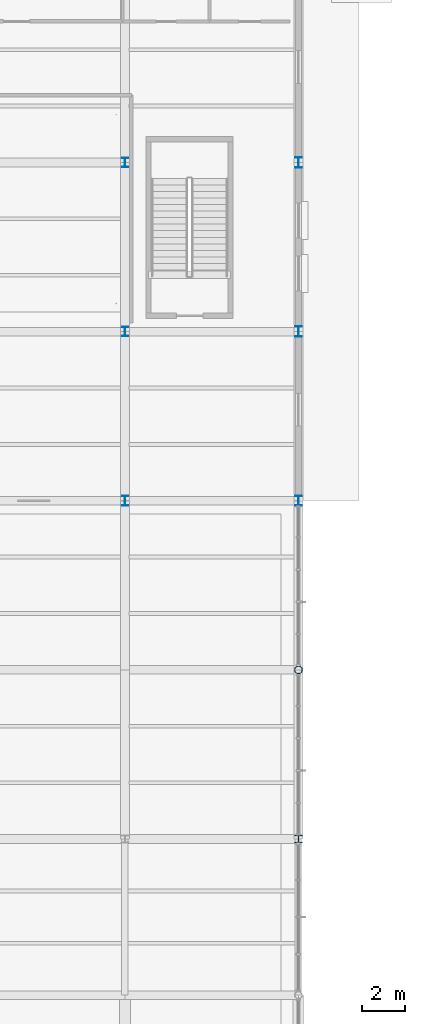
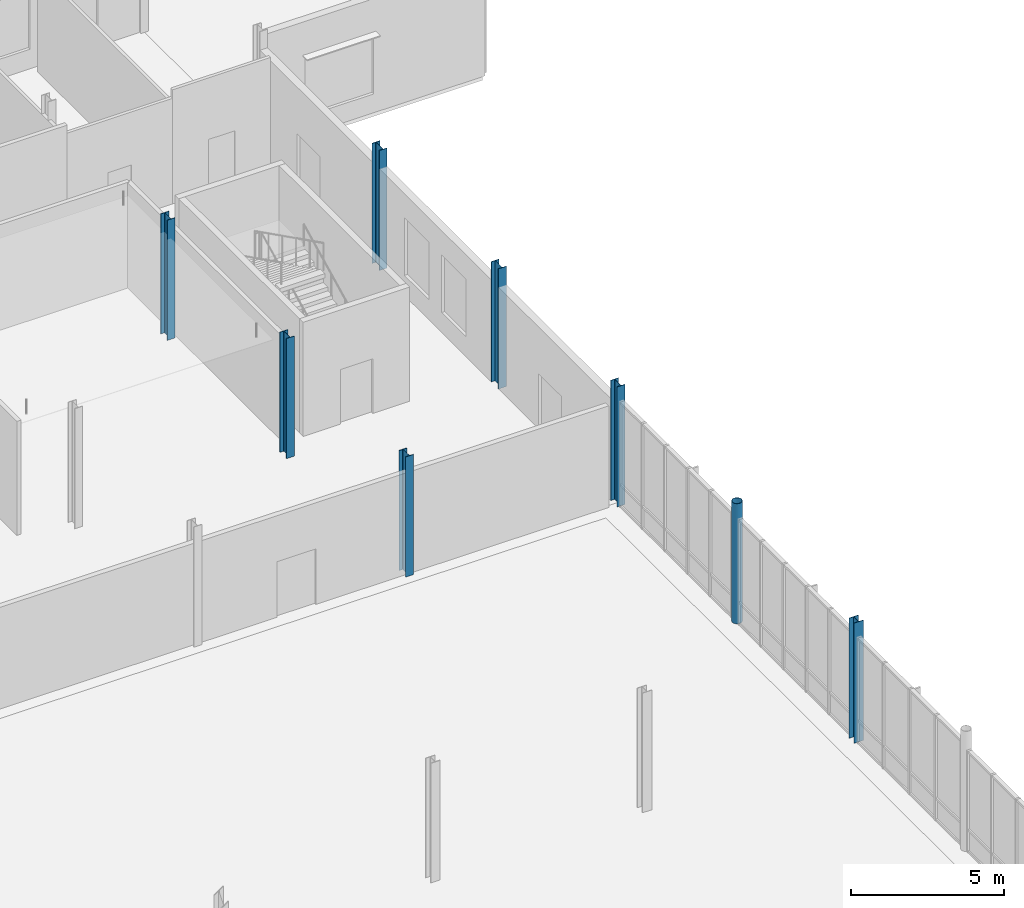
# One storey, part 7 of 82: 8 columns.
"""IFC4 building model written with IfcOpenShell, lengths in metres."""

from ifc_helpers import new_model, si_unit, direction, frame, origin, origin_2d, place, context, subcontext, project, spatial, hollow_circle, i_section, extrude, material, material_profile, profile_set, type_object, element, save


model = new_model("IFC4")

# Units and contexts
model_context = context("Model", 3, precision=1e-05, world=origin(), true_north=direction((0.0, 1.0)))
body_context = subcontext(model_context, "Body", "Model", "MODEL_VIEW")
ifc_project = project(units=[si_unit("LENGTHUNIT", "METRE"), si_unit("AREAUNIT", "SQUARE_METRE"), si_unit("VOLUMEUNIT", "CUBIC_METRE"), si_unit("PLANEANGLEUNIT", "RADIAN"), si_unit("MASSUNIT", "GRAM", prefix="KILO")], contexts=[model_context])

# Site, building, storey
site_placement = place(None, origin())
site = spatial("IfcSite", under=ifc_project, at=site_placement, CompositionType="ELEMENT")
building_placement = place(site_placement, origin())
building = spatial("IfcBuilding", under=site, at=building_placement, Name="Yukiwa Park Conservatory and Herbarium", CompositionType="ELEMENT")
storey_placement = place(building_placement, origin())
storey = spatial("IfcBuildingStorey", under=building, at=storey_placement, Name="L00", CompositionType="ELEMENT", Elevation=0.0)

# Columns
ifc_material_1 = material(Name="Steel Q355D", Category="steel")
ifc_material_profile_1 = material_profile(ifc_material_1, hollow_circle(Radius=0.177734375, WallThickness=0.012451171875, at=origin_2d()), Name="CHS 355.6x12.5")
ifc_profile_set_1 = profile_set([ifc_material_profile_1], Name="Steel Q355D")
column_type_1 = type_object("IfcColumnType", Name="COL-CN-CHS356", PredefinedType="COLUMN", material=ifc_profile_set_1)
column_1_placement = place(storey_placement, frame((108.0, 39.0, 0.0), z_axis=(0.0, 0.0, 1.0), x_axis=(1.0, 0.0, 0.0)))
element("IfcColumn", 1, at=column_1_placement, inside=storey, type_object=column_type_1, Name="L00 column V2-X1080-Y390", PredefinedType="COLUMN", context=body_context, shape_type="SweptSolid", body=[
    extrude(hollow_circle(Radius=0.177734375, WallThickness=0.012451171875, at=origin_2d()), origin(), (0.0, 0.0, 1.0), 4.800048828125),
])
ifc_material_2 = material(Name="Steel Q355D", Category="steel")
ifc_material_profile_2 = material_profile(ifc_material_2, i_section(OverallWidth=0.35009765625, OverallDepth=0.35009765625, WebThickness=0.011962890625, FlangeThickness=0.01904296875, FilletRadius=0.02001953125, at=origin_2d()), Name="HW 350x350x12x19")
ifc_profile_set_2 = profile_set([ifc_material_profile_2], Name="Steel Q355D")
column_type_2 = type_object("IfcColumnType", Name="COL-TW-HW350", PredefinedType="COLUMN", material=ifc_profile_set_2)
column_2_placement = place(storey_placement, frame((108.0, 31.199951171875, 0.0), z_axis=(0.0, 0.0, 1.0), x_axis=(1.0, 0.0, 0.0)))
element("IfcColumn", 2, at=column_2_placement, inside=storey, type_object=column_type_2, Name="L00 column V2-X1080-Y312", PredefinedType="COLUMN", context=body_context, shape_type="SweptSolid", body=[
    extrude(i_section(OverallWidth=0.35009765625, OverallDepth=0.35009765625, WebThickness=0.011962890625, FlangeThickness=0.01904296875, FilletRadius=0.02001953125, at=origin_2d()), origin(), (0.0, 0.0, 1.0), 4.800048828125),
])
ifc_material_3 = material(Name="Steel Q355D", Category="steel")
ifc_material_profile_3 = material_profile(ifc_material_3, i_section(OverallWidth=0.300048828125, OverallDepth=0.43994140625, WebThickness=0.010986328125, FlangeThickness=0.01806640625, FilletRadius=0.02392578125, at=origin_2d()), Name="HM 440x300x11x18")
ifc_profile_set_3 = profile_set([ifc_material_profile_3], Name="Steel Q355D")
column_type_3 = type_object("IfcColumnType", Name="COL-VS-HM440", PredefinedType="COLUMN", material=ifc_profile_set_3)
for number, where, z_axis, x_axis, name in (
    (3, (100.0, 46.800048828125, 0.0), (0.0, 0.0, 1.0), (1.0, 0.0, 0.0), "L00 column V3-X1000-Y468"),
    (4, (100.0, 54.60009765625, 0.0), (0.0, 0.0, 1.0), (1.0, 0.0, 0.0), "L00 column V3-X1000-Y546"),
    (5, (100.0, 62.39990234375, 0.0), (0.0, 0.0, 1.0), (1.0, 0.0, 0.0), "L00 column V3-X1000-Y624"),
    (6, (108.0, 46.800048828125, 0.0), (0.0, 0.0, 1.0), (1.0, 0.0, 0.0), "L00 column V3-X1080-Y468"),
):
    element("IfcColumn", number, at=place(storey_placement, frame(where, z_axis=z_axis, x_axis=x_axis)), inside=storey, type_object=column_type_3, Name=name, PredefinedType="COLUMN", context=body_context, shape_type="SweptSolid", body=[
        extrude(i_section(OverallWidth=0.300048828125, OverallDepth=0.43994140625, WebThickness=0.010986328125, FlangeThickness=0.01806640625, FilletRadius=0.02392578125, at=origin_2d()), origin(), (0.0, 0.0, 1.0), 4.800048828125),
    ])
ifc_material_4 = material(Name="Steel Q355D", Category="steel")
ifc_material_profile_4 = material_profile(ifc_material_4, i_section(OverallWidth=0.300048828125, OverallDepth=0.488037109375, WebThickness=0.010986328125, FlangeThickness=0.01806640625, FilletRadius=0.02392578125, at=origin_2d()), Name="HM 488x300x11x18")
ifc_profile_set_4 = profile_set([ifc_material_profile_4], Name="Steel Q355D")
column_type_4 = type_object("IfcColumnType", Name="COL-VS-HM488-EXT", PredefinedType="COLUMN", material=ifc_profile_set_4)
for number, where, z_axis, x_axis, name in (
    (7, (108.0, 54.60009765625, 0.0), (0.0, 0.0, 1.0), (1.0, 0.0, 0.0), "L00 column V3-X1080-Y546"),
    (8, (108.0, 62.39990234375, 0.0), (0.0, 0.0, 1.0), (1.0, 0.0, 0.0), "L00 column V3-X1080-Y624"),
):
    element("IfcColumn", number, at=place(storey_placement, frame(where, z_axis=z_axis, x_axis=x_axis)), inside=storey, type_object=column_type_4, Name=name, PredefinedType="COLUMN", context=body_context, shape_type="SweptSolid", body=[
        extrude(i_section(OverallWidth=0.300048828125, OverallDepth=0.488037109375, WebThickness=0.010986328125, FlangeThickness=0.01806640625, FilletRadius=0.02392578125, at=origin_2d()), origin(), (0.0, 0.0, 1.0), 4.800048828125),
    ])

save(model, "model.ifc")
